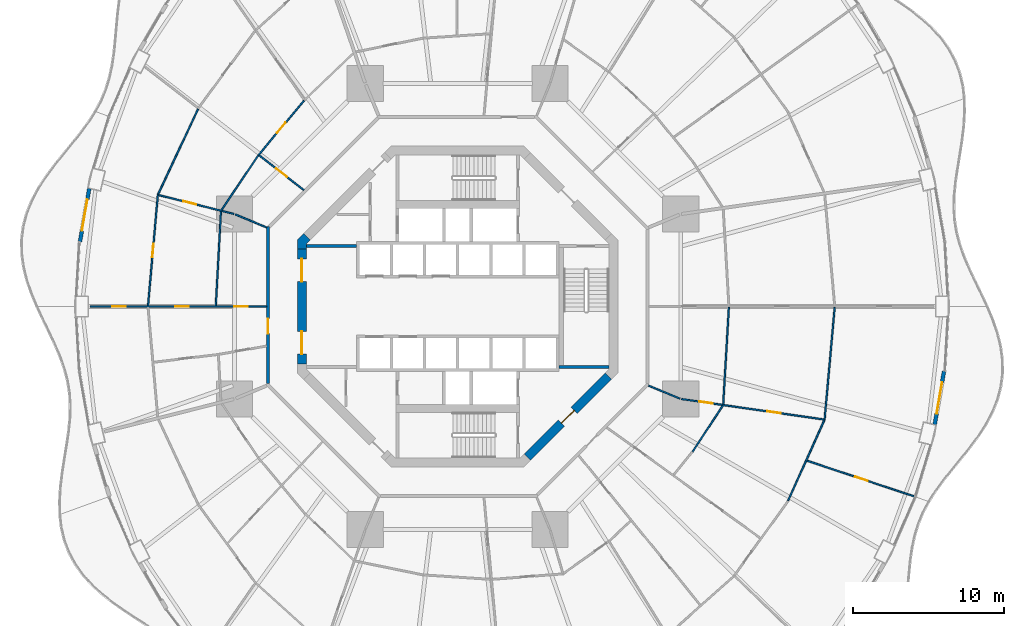
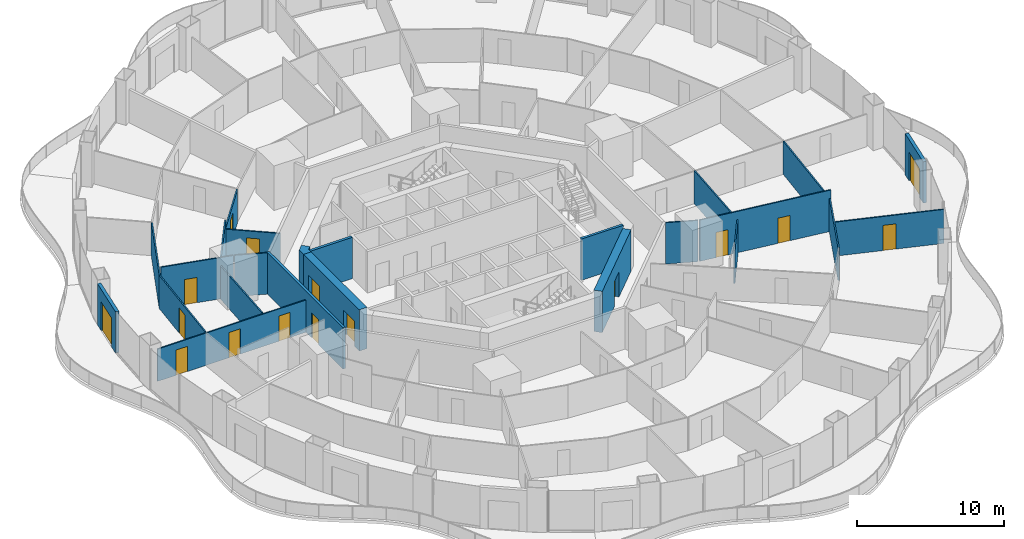
# One storey, part 15 of 21: 24 walls, 16 doors, 16 openings.
"""IFC4 building model written with IfcOpenShell, lengths in metres."""

from ifc_helpers import new_model, si_unit, direction, frame, frame_2d, origin, place, context, subcontext, project, spatial, polyline, rectangle, outline, extrude, material, layer, layer_set, type_object, element, fill, save


model = new_model("IFC4")

# Units and contexts
model_context = context("Model", 3, precision=1e-05, world=origin(), true_north=direction((0.0, 1.0)))
body_context = subcontext(model_context, "Body", "Model", "MODEL_VIEW")
ifc_project = project(units=[si_unit("LENGTHUNIT", "METRE"), si_unit("AREAUNIT", "SQUARE_METRE"), si_unit("VOLUMEUNIT", "CUBIC_METRE"), si_unit("PLANEANGLEUNIT", "RADIAN"), si_unit("MASSUNIT", "GRAM", prefix="KILO")], contexts=[model_context])

# Site, building, storey
site_placement = place(None, origin())
site = spatial("IfcSite", under=ifc_project, at=site_placement, CompositionType="ELEMENT")
building_placement = place(site_placement, origin())
building = spatial("IfcBuilding", under=site, at=building_placement, Name="Nagisa Residences", CompositionType="ELEMENT")
storey_placement = place(building_placement, frame((0.0, 0.0, 60.300048828125)))
storey = spatial("IfcBuildingStorey", under=building, at=storey_placement, Name="L14", CompositionType="ELEMENT", Elevation=60.300048828125)

# Wall, opening, door
ifc_material_1 = material(Name="Gypsum board on steel studs", Category="steel")
ifc_layer_1 = layer(ifc_material_1, 0.199951171875)
ifc_layer_set_1 = layer_set([ifc_layer_1], Name="Apartment entry wall EI60 200")
wall_type_1 = type_object("IfcWallType", Name="Apartment entry wall EI60 200", PredefinedType="PARTITIONING", material=ifc_layer_set_1)
wall_1_placement = place(storey_placement, frame((-12.564697265625, 5.304443359375, 0.0), z_axis=(0.0, 0.0, 1.0), x_axis=(0.0, -1.0, 0.0)))
wall_1 = element("IfcWall", 1, at=wall_1_placement, inside=storey, type_object=wall_type_1, Name="wall:L14:u10", PredefinedType="PARTITIONING", context=body_context, shape_type="SweptSolid", body=[
    extrude(rectangle(XDim=10.408935546875, YDim=0.199951171875, at=frame_2d((5.20458984375, 0.0))), origin(), (0.0, 0.0, 1.0), 3.43994140625),
])
opening_1_placement = place(wall_1_placement, frame((6.105712890625, 0.0, 0.0)))
opening_1 = element("IfcOpeningElement", 2, at=opening_1_placement, cuts=wall_1, Name="Opening L14-U42", PredefinedType="OPENING", context=body_context, shape_type="SweptSolid", body=[
    extrude(rectangle(XDim=1.0, YDim=2.10009765625, at=frame_2d((0.5, 1.050048828125))), frame((0.0, 0.10986328125, 0.0), z_axis=(0.0, -1.0, 0.0), x_axis=(1.0, 0.0, 0.0)), (0.0, 0.0, 1.0), 0.219970703125),
])
ifc_material_2 = material(Name="Timber fire door set", Category="wood")
door_type_1 = type_object("IfcDoorType", Name="Apartment entry door FD30S 1000x2100", OperationType="NOTDEFINED", PredefinedType="DOOR", material=ifc_material_2)
door_1_placement = place(opening_1_placement, frame((1.0, 0.0, 0.0), x_axis=(-1.0, 0.0, 0.0)))
door_1 = element("IfcDoor", 3, at=door_1_placement, inside=storey, type_object=door_type_1, Name="Entry door, Apartment 14C", OperationType="SINGLE_SWING_LEFT", OverallHeight=2.10009765625, OverallWidth=1.0, PredefinedType="DOOR", context=body_context, shape_type="SweptSolid", body=[
    extrude(rectangle(XDim=1.0, YDim=2.10009765625, at=frame_2d((0.5, 1.050048828125))), frame((0.0, 0.02490234375, 0.0), z_axis=(0.0, -1.0, 0.0), x_axis=(1.0, 0.0, 0.0)), (0.0, 0.0, 1.0), 0.050048828125),
])
fill(opening_1, door_1)

# Walls
ifc_material_3 = material(Name="Gypsum board on steel studs", Category="steel")
ifc_layer_2 = layer(ifc_material_3, 0.10009765625)
ifc_layer_set_2 = layer_set([ifc_layer_2], Name="Apartment partition 100")
wall_type_2 = type_object("IfcWallType", Name="Apartment partition 100", PredefinedType="PARTITIONING", material=ifc_layer_set_2)
wall_2_placement = place(storey_placement, frame((17.971435546875, -0.0498046875, 0.0), z_axis=(0.0, 0.0, 1.0), x_axis=(-0.058475267553, -0.998288857538, 0.0)))
element("IfcWall", 4, at=wall_2_placement, inside=storey, type_object=wall_type_2, Name="wall:L14:u16", PredefinedType="PARTITIONING", context=body_context, shape_type="SweptSolid", body=[
    extrude(rectangle(XDim=6.43798828125, YDim=0.10009765625, at=frame_2d((3.218994140625, 0.0))), origin(), (0.0, 0.0, 1.0), 2.755859375),
])
wall_3_placement = place(storey_placement, frame((24.982177734375, -0.0498046875, 0.0), z_axis=(0.0, 0.0, 1.0), x_axis=(-0.089432471274, -0.995992888068, 0.0)))
element("IfcWall", 5, at=wall_3_placement, inside=storey, type_object=wall_type_2, Name="wall:L14:u18", PredefinedType="PARTITIONING", context=body_context, shape_type="SweptSolid", body=[
    extrude(rectangle(XDim=7.422607421875, YDim=0.10009765625, at=frame_2d((3.71142578125, 0.0))), origin(), (0.0, 0.0, 1.0), 2.755859375),
])

# Wall, opening, door
wall_4_placement = place(storey_placement, frame((-10.18701171875, 13.643310546875, 0.0), z_axis=(0.0, 0.0, 1.0), x_axis=(-0.640807748916, -0.767701393075, 0.0)))
wall_4 = element("IfcWall", 6, at=wall_4_placement, inside=storey, type_object=wall_type_2, Name="wall:L14:u44", PredefinedType="PARTITIONING", context=body_context, shape_type="SweptSolid", body=[
    extrude(rectangle(XDim=4.73681640625, YDim=0.10009765625, at=frame_2d((2.368408203125, 0.0))), origin(), (0.0, 0.0, 1.0), 2.755859375),
])
opening_2_placement = place(wall_4_placement, frame((1.893310546875, 0.0, 0.0)))
opening_2 = element("IfcOpeningElement", 7, at=opening_2_placement, cuts=wall_4, Name="Opening L14-U51", PredefinedType="OPENING", context=body_context, shape_type="SweptSolid", body=[
    extrude(rectangle(XDim=0.89990234375, YDim=2.10009765625, at=frame_2d((0.449951171875, 1.050048828125))), frame((0.0, 0.06005859375, 0.0), z_axis=(0.0, -1.0, 0.0), x_axis=(1.0, 0.0, 0.0)), (0.0, 0.0, 1.0), 0.1201171875),
])
ifc_material_4 = material(Name="Timber door set", Category="wood")
door_type_2 = type_object("IfcDoorType", Name="Apartment door 900x2100", OperationType="NOTDEFINED", PredefinedType="DOOR", material=ifc_material_4)
door_2_placement = place(opening_2_placement, origin())
door_2 = element("IfcDoor", 8, at=door_2_placement, inside=storey, type_object=door_type_2, Name="Door to laundry, Apartment 14C", OperationType="SINGLE_SWING_LEFT", OverallHeight=2.10009765625, OverallWidth=0.89990234375, PredefinedType="DOOR", context=body_context, shape_type="SweptSolid", body=[
    extrude(rectangle(XDim=0.89990234375, YDim=2.10009765625, at=frame_2d((0.449951171875, 1.050048828125))), frame((0.0, 0.02490234375, 0.0), z_axis=(0.0, -1.0, 0.0), x_axis=(1.0, 0.0, 0.0)), (0.0, 0.0, 1.0), 0.050048828125),
])
fill(opening_2, door_2)

wall_5_placement = place(storey_placement, frame((-10.1904296875, 7.71923828125, 0.0), z_axis=(0.0, 0.0, 1.0), x_axis=(-0.790253294643, 0.612780327937, 0.0)))
wall_5 = element("IfcWall", 9, at=wall_5_placement, inside=storey, type_object=wall_type_2, Name="wall:L14:u46", PredefinedType="PARTITIONING", context=body_context, shape_type="SweptSolid", body=[
    extrude(rectangle(XDim=3.745849609375, YDim=0.10009765625, at=frame_2d((1.873046875, 0.0))), origin(), (0.0, 0.0, 1.0), 2.68701171875),
])
opening_3_placement = place(wall_5_placement, frame((1.423095703125, 0.0, 0.0)))
opening_3 = element("IfcOpeningElement", 10, at=opening_3_placement, cuts=wall_5, Name="Opening L14-U52", PredefinedType="OPENING", context=body_context, shape_type="SweptSolid", body=[
    extrude(rectangle(XDim=0.89990234375, YDim=2.10009765625, at=frame_2d((0.449951171875, 1.050048828125))), frame((0.0, 0.06005859375, 0.0), z_axis=(0.0, -1.0, 0.0), x_axis=(1.0, 0.0, 0.0)), (0.0, 0.0, 1.0), 0.1201171875),
])
door_3_placement = place(opening_3_placement, origin())
door_3 = element("IfcDoor", 11, at=door_3_placement, inside=storey, type_object=door_type_2, Name="Door to store, Apartment 14C", OperationType="SINGLE_SWING_RIGHT", OverallHeight=2.10009765625, OverallWidth=0.89990234375, PredefinedType="DOOR", context=body_context, shape_type="SweptSolid", body=[
    extrude(rectangle(XDim=0.89990234375, YDim=2.10009765625, at=frame_2d((0.449951171875, 1.050048828125))), frame((0.0, 0.02490234375, 0.0), z_axis=(0.0, -1.0, 0.0), x_axis=(1.0, 0.0, 0.0)), (0.0, 0.0, 1.0), 0.050048828125),
])
fill(opening_3, door_3)

# Walls
wall_6_placement = place(storey_placement, frame((-13.21826171875, 10.00390625, 0.0), z_axis=(0.0, 0.0, 1.0), x_axis=(-0.559126445155, -0.82908239538, 0.0)))
element("IfcWall", 12, at=wall_6_placement, inside=storey, type_object=wall_type_2, Name="wall:L14:u47", PredefinedType="PARTITIONING", context=body_context, shape_type="SweptSolid", body=[
    extrude(rectangle(XDim=4.358154296875, YDim=0.10009765625, at=frame_2d((2.17919921875, 0.0))), origin(), (0.0, 0.0, 1.0), 3.43994140625),
])
wall_7_placement = place(storey_placement, frame((-17.20263671875, 13.0947265625, 0.0), z_axis=(0.0, 0.0, 1.0), x_axis=(-0.423892287987, -0.905712607942, 0.0)))
element("IfcWall", 13, at=wall_7_placement, inside=storey, type_object=wall_type_2, Name="wall:L14:u49", PredefinedType="PARTITIONING", context=body_context, shape_type="SweptSolid", body=[
    extrude(rectangle(XDim=6.237548828125, YDim=0.10009765625, at=frame_2d((3.11865234375, 0.0))), origin(), (0.0, 0.0, 1.0), 2.755859375),
])
wall_8_placement = place(storey_placement, frame((-12.6572265625, 5.24267578125, 0.0), z_axis=(0.0, 0.0, 1.0), x_axis=(-0.923864733477, 0.382719158442, 0.0)))
element("IfcWall", 14, at=wall_8_placement, inside=storey, type_object=wall_type_2, Name="wall:L14:u50", PredefinedType="PARTITIONING", context=body_context, shape_type="SweptSolid", body=[
    extrude(rectangle(XDim=2.25, YDim=0.10009765625, at=frame_2d((1.125, 0.0))), origin(), (0.0, 0.0, 1.0), 3.43994140625),
])

# Wall, opening, door
wall_9_placement = place(storey_placement, frame((-14.83056640625, 6.135009765625, 0.0), z_axis=(0.0, 0.0, 1.0), x_axis=(-0.96988230015, 0.243574062362, 0.0)))
wall_9 = element("IfcWall", 15, at=wall_9_placement, inside=storey, type_object=wall_type_2, Name="wall:L14:u51", PredefinedType="PARTITIONING", context=body_context, shape_type="SweptSolid", body=[
    extrude(rectangle(XDim=5.14404296875, YDim=0.10009765625, at=frame_2d((2.572021484375, 0.0))), origin(), (0.0, 0.0, 1.0), 3.43994140625),
])
opening_4_placement = place(wall_9_placement, frame((2.561279296875, 0.0, 0.0)))
opening_4 = element("IfcOpeningElement", 16, at=opening_4_placement, cuts=wall_9, Name="Opening L14-U49", PredefinedType="OPENING", context=body_context, shape_type="SweptSolid", body=[
    extrude(rectangle(XDim=0.89990234375, YDim=2.10009765625, at=frame_2d((0.449951171875, 1.050048828125))), frame((0.0, 0.06005859375, 0.0), z_axis=(0.0, -1.0, 0.0), x_axis=(1.0, 0.0, 0.0)), (0.0, 0.0, 1.0), 0.1201171875),
])
door_4_placement = place(opening_4_placement, frame((0.89990234375, 0.0, 0.0), x_axis=(-1.0, 0.0, 0.0)))
door_4 = element("IfcDoor", 17, at=door_4_placement, inside=storey, type_object=door_type_2, Name="Door to family room, Apartment 14C", OperationType="SINGLE_SWING_RIGHT", OverallHeight=2.10009765625, OverallWidth=0.89990234375, PredefinedType="DOOR", context=body_context, shape_type="SweptSolid", body=[
    extrude(rectangle(XDim=0.89990234375, YDim=2.10009765625, at=frame_2d((0.449951171875, 1.050048828125))), frame((0.0, 0.02490234375, 0.0), z_axis=(0.0, -1.0, 0.0), x_axis=(1.0, 0.0, 0.0)), (0.0, 0.0, 1.0), 0.050048828125),
])
fill(opening_4, door_4)

# Wall
wall_10_placement = place(storey_placement, frame((-15.685546875, 6.29931640625, 0.0), z_axis=(0.0, 0.0, 1.0), x_axis=(-0.054651178503, -0.99850550759, 0.0)))
element("IfcWall", 18, at=wall_10_placement, inside=storey, type_object=wall_type_2, Name="wall:L14:u52", PredefinedType="PARTITIONING", context=body_context, shape_type="SweptSolid", body=[
    extrude(rectangle(XDim=6.258544921875, YDim=0.10009765625, at=frame_2d((3.12939453125, 0.0))), origin(), (0.0, 0.0, 1.0), 2.755859375),
])

# Wall, opening, door
wall_11_placement = place(storey_placement, frame((-19.863525390625, 7.449951171875, 0.0), z_axis=(0.0, 0.0, 1.0), x_axis=(-0.088138375539, -0.996108240483, 0.0)))
wall_11 = element("IfcWall", 19, at=wall_11_placement, inside=storey, type_object=wall_type_2, Name="wall:L14:u53", PredefinedType="PARTITIONING", context=body_context, shape_type="SweptSolid", body=[
    extrude(rectangle(XDim=7.428955078125, YDim=0.10009765625, at=frame_2d((3.71435546875, 0.0))), origin(), (0.0, 0.0, 1.0), 2.755859375),
])
opening_5_placement = place(wall_11_placement, frame((3.28955078125, 0.0, 0.0)))
opening_5 = element("IfcOpeningElement", 20, at=opening_5_placement, cuts=wall_11, Name="Opening L14-U47", PredefinedType="OPENING", context=body_context, shape_type="SweptSolid", body=[
    extrude(rectangle(XDim=0.89990234375, YDim=2.10009765625, at=frame_2d((0.449951171875, 1.050048828125))), frame((0.0, 0.06005859375, 0.0), z_axis=(0.0, -1.0, 0.0), x_axis=(1.0, 0.0, 0.0)), (0.0, 0.0, 1.0), 0.1201171875),
])
door_5_placement = place(opening_5_placement, frame((0.89990234375, 0.0, 0.0), x_axis=(-1.0, 0.0, 0.0)))
door_5 = element("IfcDoor", 21, at=door_5_placement, inside=storey, type_object=door_type_2, Name="Door to family room, Apartment 14C", OperationType="SINGLE_SWING_RIGHT", OverallHeight=2.10009765625, OverallWidth=0.89990234375, PredefinedType="DOOR", context=body_context, shape_type="SweptSolid", body=[
    extrude(rectangle(XDim=0.89990234375, YDim=2.10009765625, at=frame_2d((0.449951171875, 1.050048828125))), frame((0.0, 0.02490234375, 0.0), z_axis=(0.0, -1.0, 0.0), x_axis=(1.0, 0.0, 0.0)), (0.0, 0.0, 1.0), 0.050048828125),
])
fill(opening_5, door_5)

# Wall, openings, doors
wall_12_placement = place(storey_placement, frame((-12.664794921875, 0.0, 0.0), z_axis=(0.0, 0.0, 1.0), x_axis=(-1.0, 0.0, 0.0)))
wall_12 = element("IfcWall", 22, at=wall_12_placement, inside=storey, type_object=wall_type_2, Name="wall:L14:u54", PredefinedType="PARTITIONING", context=body_context, shape_type="SweptSolid", body=[
    extrude(rectangle(XDim=11.685302734375, YDim=0.10009765625, at=frame_2d((5.8427734375, 0.0))), origin(), (0.0, 0.0, 1.0), 2.68701171875),
])
opening_6_placement = place(wall_12_placement, frame((1.23291015625, 0.0, 0.0)))
opening_6 = element("IfcOpeningElement", 23, at=opening_6_placement, cuts=wall_12, Name="Opening L14-U43", PredefinedType="OPENING", context=body_context, shape_type="SweptSolid", body=[
    extrude(rectangle(XDim=0.89990234375, YDim=2.10009765625, at=frame_2d((0.449951171875, 1.050048828125))), frame((0.0, 0.06005859375, 0.0), z_axis=(0.0, -1.0, 0.0), x_axis=(1.0, 0.0, 0.0)), (0.0, 0.0, 1.0), 0.1201171875),
])
opening_7_placement = place(wall_12_placement, frame((5.16162109375, 0.0, 0.0)))
opening_7 = element("IfcOpeningElement", 24, at=opening_7_placement, cuts=wall_12, Name="Opening L14-U45", PredefinedType="OPENING", context=body_context, shape_type="SweptSolid", body=[
    extrude(rectangle(XDim=0.89990234375, YDim=2.10009765625, at=frame_2d((0.449951171875, 1.050048828125))), frame((0.0, 0.06005859375, 0.0), z_axis=(0.0, -1.0, 0.0), x_axis=(1.0, 0.0, 0.0)), (0.0, 0.0, 1.0), 0.1201171875),
])
opening_8_placement = place(wall_12_placement, frame((9.321533203125, 0.0, 0.0)))
opening_8 = element("IfcOpeningElement", 25, at=opening_8_placement, cuts=wall_12, Name="Opening L14-U48", PredefinedType="OPENING", context=body_context, shape_type="SweptSolid", body=[
    extrude(rectangle(XDim=0.89990234375, YDim=2.10009765625, at=frame_2d((0.449951171875, 1.050048828125))), frame((0.0, 0.06005859375, 0.0), z_axis=(0.0, -1.0, 0.0), x_axis=(1.0, 0.0, 0.0)), (0.0, 0.0, 1.0), 0.1201171875),
])
door_6_placement = place(opening_6_placement, frame((0.89990234375, 0.0, 0.0), x_axis=(-1.0, 0.0, 0.0)))
door_6 = element("IfcDoor", 26, at=door_6_placement, inside=storey, type_object=door_type_2, Name="Door to family bathroom, Apartment 14C", OperationType="SINGLE_SWING_RIGHT", OverallHeight=2.10009765625, OverallWidth=0.89990234375, PredefinedType="DOOR", context=body_context, shape_type="SweptSolid", body=[
    extrude(rectangle(XDim=0.89990234375, YDim=2.10009765625, at=frame_2d((0.449951171875, 1.050048828125))), frame((0.0, 0.02490234375, 0.0), z_axis=(0.0, -1.0, 0.0), x_axis=(1.0, 0.0, 0.0)), (0.0, 0.0, 1.0), 0.050048828125),
])
fill(opening_6, door_6)
door_7_placement = place(opening_7_placement, frame((0.89990234375, 0.0, 0.0), x_axis=(-1.0, 0.0, 0.0)))
door_7 = element("IfcDoor", 27, at=door_7_placement, inside=storey, type_object=door_type_2, Name="Door to dining room, Apartment 14C", OperationType="SINGLE_SWING_RIGHT", OverallHeight=2.10009765625, OverallWidth=0.89990234375, PredefinedType="DOOR", context=body_context, shape_type="SweptSolid", body=[
    extrude(rectangle(XDim=0.89990234375, YDim=2.10009765625, at=frame_2d((0.449951171875, 1.050048828125))), frame((0.0, 0.02490234375, 0.0), z_axis=(0.0, -1.0, 0.0), x_axis=(1.0, 0.0, 0.0)), (0.0, 0.0, 1.0), 0.050048828125),
])
fill(opening_7, door_7)
door_8_placement = place(opening_8_placement, origin())
door_8 = element("IfcDoor", 28, at=door_8_placement, inside=storey, type_object=door_type_2, Name="Door to bedroom, Apartment 14C", OperationType="SINGLE_SWING_RIGHT", OverallHeight=2.10009765625, OverallWidth=0.89990234375, PredefinedType="DOOR", context=body_context, shape_type="SweptSolid", body=[
    extrude(rectangle(XDim=0.89990234375, YDim=2.10009765625, at=frame_2d((0.449951171875, 1.050048828125))), frame((0.0, 0.02490234375, 0.0), z_axis=(0.0, -1.0, 0.0), x_axis=(1.0, 0.0, 0.0)), (0.0, 0.0, 1.0), 0.050048828125),
])
fill(opening_8, door_8)

# Walls
wall_13_placement = place(storey_placement, frame((15.5546875, -9.639404296875, 0.0), z_axis=(0.0, 0.0, 1.0), x_axis=(0.547618530423, 0.836728119007, 0.0)))
element("IfcWall", 29, at=wall_13_placement, inside=storey, type_object=wall_type_2, Name="wall:L14:u90", PredefinedType="PARTITIONING", context=body_context, shape_type="SweptSolid", body=[
    extrude(rectangle(XDim=3.669921875, YDim=0.10009765625, at=frame_2d((1.8349609375, 0.0))), origin(), (0.0, 0.0, 1.0), 2.755859375),
])
wall_14_placement = place(storey_placement, frame((21.89892578125, -12.861328125, 0.0), z_axis=(0.0, 0.0, 1.0), x_axis=(0.410197710154, 0.911996622025, 0.0)))
element("IfcWall", 30, at=wall_14_placement, inside=storey, type_object=wall_type_2, Name="wall:L14:u91", PredefinedType="PARTITIONING", context=body_context, shape_type="SweptSolid", body=[
    extrude(rectangle(XDim=5.8369140625, YDim=0.10009765625, at=frame_2d((2.91845703125, 0.0))), origin(), (0.0, 0.0, 1.0), 2.755859375),
])

# Wall, opening, door
wall_15_placement = place(storey_placement, frame((23.1435546875, -10.215576171875, 0.0), z_axis=(0.0, 0.0, 1.0), x_axis=(0.948811715359, -0.315842253027, 0.0)))
wall_15 = element("IfcWall", 31, at=wall_15_placement, inside=storey, type_object=wall_type_2, Name="wall:L14:u92", PredefinedType="PARTITIONING", context=body_context, shape_type="SweptSolid", body=[
    extrude(rectangle(XDim=7.599853515625, YDim=0.10009765625, at=frame_2d((3.7998046875, 0.0))), origin(), (0.0, 0.0, 1.0), 2.8369140625),
])
opening_9_placement = place(wall_15_placement, frame((3.35009765625, 0.0, 0.0)))
opening_9 = element("IfcOpeningElement", 32, at=opening_9_placement, cuts=wall_15, Name="Opening L14-U15", PredefinedType="OPENING", context=body_context, shape_type="SweptSolid", body=[
    extrude(rectangle(XDim=0.89990234375, YDim=2.10009765625, at=frame_2d((0.449951171875, 1.050048828125))), frame((0.0, 0.06005859375, 0.0), z_axis=(0.0, -1.0, 0.0), x_axis=(1.0, 0.0, 0.0)), (0.0, 0.0, 1.0), 0.1201171875),
])
door_9_placement = place(opening_9_placement, origin())
door_9 = element("IfcDoor", 33, at=door_9_placement, inside=storey, type_object=door_type_2, Name="Door to family room, Apartment 14A", OperationType="SINGLE_SWING_LEFT", OverallHeight=2.10009765625, OverallWidth=0.89990234375, PredefinedType="DOOR", context=body_context, shape_type="SweptSolid", body=[
    extrude(rectangle(XDim=0.89990234375, YDim=2.10009765625, at=frame_2d((0.449951171875, 1.050048828125))), frame((0.0, 0.02490234375, 0.0), z_axis=(0.0, -1.0, 0.0), x_axis=(1.0, 0.0, 0.0)), (0.0, 0.0, 1.0), 0.050048828125),
])
fill(opening_9, door_9)

# Wall
wall_16_placement = place(storey_placement, frame((12.6572265625, -5.24267578125, 0.0), z_axis=(0.0, 0.0, 1.0), x_axis=(0.923864733477, -0.382719158442, 0.0)))
element("IfcWall", 34, at=wall_16_placement, inside=storey, type_object=wall_type_2, Name="wall:L14:u93", PredefinedType="PARTITIONING", context=body_context, shape_type="SweptSolid", body=[
    extrude(rectangle(XDim=2.25, YDim=0.10009765625, at=frame_2d((1.125, 0.0))), origin(), (0.0, 0.0, 1.0), 3.43994140625),
])

# Wall, openings, doors
wall_17_placement = place(storey_placement, frame((14.83154296875, -6.130126953125, 0.0), z_axis=(0.0, 0.0, 1.0), x_axis=(0.989837122016, -0.142205737856, 0.0)))
wall_17 = element("IfcWall", 35, at=wall_17_placement, inside=storey, type_object=wall_type_2, Name="wall:L14:u94", PredefinedType="PARTITIONING", context=body_context, shape_type="SweptSolid", body=[
    extrude(rectangle(XDim=9.629638671875, YDim=0.10009765625, at=frame_2d((4.81494140625, 0.0))), origin(), (0.0, 0.0, 1.0), 3.43994140625),
])
opening_10_placement = place(wall_17_placement, frame((1.18212890625, 0.0, 0.0)))
opening_10 = element("IfcOpeningElement", 36, at=opening_10_placement, cuts=wall_17, Name="Opening L14-U04", PredefinedType="OPENING", context=body_context, shape_type="SweptSolid", body=[
    extrude(rectangle(XDim=0.89990234375, YDim=2.10009765625, at=frame_2d((0.449951171875, 1.050048828125))), frame((0.0, 0.06005859375, 0.0), z_axis=(0.0, -1.0, 0.0), x_axis=(1.0, 0.0, 0.0)), (0.0, 0.0, 1.0), 0.1201171875),
])
opening_11_placement = place(wall_17_placement, frame((5.734130859375, 0.0, 0.0)))
opening_11 = element("IfcOpeningElement", 37, at=opening_11_placement, cuts=wall_17, Name="Opening L14-U09", PredefinedType="OPENING", context=body_context, shape_type="SweptSolid", body=[
    extrude(rectangle(XDim=0.89990234375, YDim=2.10009765625, at=frame_2d((0.449951171875, 1.050048828125))), frame((0.0, 0.06005859375, 0.0), z_axis=(0.0, -1.0, 0.0), x_axis=(1.0, 0.0, 0.0)), (0.0, 0.0, 1.0), 0.1201171875),
])
door_10_placement = place(opening_10_placement, origin())
door_10 = element("IfcDoor", 38, at=door_10_placement, inside=storey, type_object=door_type_2, Name="Door to store, Apartment 14A", OperationType="SINGLE_SWING_RIGHT", OverallHeight=2.10009765625, OverallWidth=0.89990234375, PredefinedType="DOOR", context=body_context, shape_type="SweptSolid", body=[
    extrude(rectangle(XDim=0.89990234375, YDim=2.10009765625, at=frame_2d((0.449951171875, 1.050048828125))), frame((0.0, 0.02490234375, 0.0), z_axis=(0.0, -1.0, 0.0), x_axis=(1.0, 0.0, 0.0)), (0.0, 0.0, 1.0), 0.050048828125),
])
fill(opening_10, door_10)
door_11_placement = place(opening_11_placement, origin())
door_11 = element("IfcDoor", 39, at=door_11_placement, inside=storey, type_object=door_type_2, Name="Door to family room, Apartment 14A", OperationType="SINGLE_SWING_LEFT", OverallHeight=2.10009765625, OverallWidth=0.89990234375, PredefinedType="DOOR", context=body_context, shape_type="SweptSolid", body=[
    extrude(rectangle(XDim=0.89990234375, YDim=2.10009765625, at=frame_2d((0.449951171875, 1.050048828125))), frame((0.0, 0.02490234375, 0.0), z_axis=(0.0, -1.0, 0.0), x_axis=(1.0, 0.0, 0.0)), (0.0, 0.0, 1.0), 0.050048828125),
])
fill(opening_11, door_11)

# Wall, opening, door
ifc_material_5 = material(Name="Precast concrete C40/50", Category="concrete")
ifc_layer_3 = layer(ifc_material_5, 0.25)
ifc_layer_set_3 = layer_set([ifc_layer_3], Name="BALCONY DOOR WALL 250")
wall_type_3 = type_object("IfcWallType", Name="BALCONY DOOR WALL 250", PredefinedType="SOLIDWALL", material=ifc_layer_set_3)
wall_18_placement = place(storey_placement, frame((-25.02880859375, 4.285888671875, 0.0), z_axis=(0.0, 0.0, 1.0), x_axis=(0.172217377323, 0.98505897029, 0.0)))
wall_18 = element("IfcWall", 40, at=wall_18_placement, inside=storey, type_object=wall_type_3, Name="wall:L14:bay22", PredefinedType="SOLIDWALL", context=body_context, shape_type="SweptSolid", body=[
    extrude(rectangle(XDim=3.597900390625, YDim=0.25, at=frame_2d((1.798828125, 0.0))), origin(), (0.0, 0.0, 1.0), 3.43994140625),
])
opening_12_placement = place(wall_18_placement, frame((0.7490234375, 0.0, 0.0)))
opening_12 = element("IfcOpeningElement", 41, at=opening_12_placement, cuts=wall_18, Name="Opening BD-L14-08", PredefinedType="OPENING", context=body_context, shape_type="SweptSolid", body=[
    extrude(rectangle(XDim=2.10009765625, YDim=2.39990234375, at=frame_2d((1.050048828125, 1.199951171875))), frame((0.0, 0.135009765625, 0.0), z_axis=(0.0, -1.0, 0.0), x_axis=(1.0, 0.0, 0.0)), (0.0, 0.0, 1.0), 0.27001953125),
])
ifc_material_6 = material(Name="Aluminium and clear glass", Category="aluminium")
door_type_3 = type_object("IfcDoorType", Name="BALCONY SLIDING DOOR 2100x2400", OperationType="SLIDING_TO_LEFT", PredefinedType="DOOR", material=ifc_material_6)
door_12_placement = place(opening_12_placement, origin())
door_12 = element("IfcDoor", 42, at=door_12_placement, inside=storey, type_object=door_type_3, Name="door:L14:bay22", OperationType="SLIDING_TO_LEFT", OverallHeight=2.39990234375, OverallWidth=2.10009765625, PredefinedType="DOOR", context=body_context, shape_type="SweptSolid", body=[
    extrude(rectangle(XDim=2.10009765625, YDim=2.39990234375, at=frame_2d((1.050048828125, 1.199951171875))), frame((0.0, 0.02490234375, 0.0), z_axis=(0.0, -1.0, 0.0), x_axis=(1.0, 0.0, 0.0)), (0.0, 0.0, 1.0), 0.050048828125),
])
fill(opening_12, door_12)

wall_19_placement = place(storey_placement, frame((32.228759765625, -4.285888671875, 0.0), z_axis=(0.0, 0.0, 1.0), x_axis=(-0.172217377323, -0.98505897029, 0.0)))
wall_19 = element("IfcWall", 43, at=wall_19_placement, inside=storey, type_object=wall_type_3, Name="wall:L14:bay46", PredefinedType="SOLIDWALL", context=body_context, shape_type="SweptSolid", body=[
    extrude(rectangle(XDim=3.597900390625, YDim=0.25, at=frame_2d((1.798828125, 0.0))), origin(), (0.0, 0.0, 1.0), 3.43994140625),
])
opening_13_placement = place(wall_19_placement, frame((0.7490234375, 0.0, 0.0)))
opening_13 = element("IfcOpeningElement", 44, at=opening_13_placement, cuts=wall_19, Name="Opening BD-L14-16", PredefinedType="OPENING", context=body_context, shape_type="SweptSolid", body=[
    extrude(rectangle(XDim=2.10009765625, YDim=2.39990234375, at=frame_2d((1.050048828125, 1.199951171875))), frame((0.0, 0.135009765625, 0.0), z_axis=(0.0, -1.0, 0.0), x_axis=(1.0, 0.0, 0.0)), (0.0, 0.0, 1.0), 0.27001953125),
])
door_13_placement = place(opening_13_placement, origin())
door_13 = element("IfcDoor", 45, at=door_13_placement, inside=storey, type_object=door_type_3, Name="door:L14:bay46", OperationType="SLIDING_TO_LEFT", OverallHeight=2.39990234375, OverallWidth=2.10009765625, PredefinedType="DOOR", context=body_context, shape_type="SweptSolid", body=[
    extrude(rectangle(XDim=2.10009765625, YDim=2.39990234375, at=frame_2d((1.050048828125, 1.199951171875))), frame((0.0, 0.02490234375, 0.0), z_axis=(0.0, -1.0, 0.0), x_axis=(1.0, 0.0, 0.0)), (0.0, 0.0, 1.0), 0.050048828125),
])
fill(opening_13, door_13)

# Wall
ifc_material_7 = material(Name="Gypsum board on steel studs", Category="steel")
ifc_layer_4 = layer(ifc_material_7, 0.199951171875)
ifc_layer_set_4 = layer_set([ifc_layer_4], Name="Core partition 200")
wall_type_4 = type_object("IfcWallType", Name="Core partition 200", PredefinedType="PARTITIONING", material=ifc_layer_set_4)
wall_20_placement = place(storey_placement, frame((-10.024658203125, 4.0, 0.0), z_axis=(0.0, 0.0, 1.0), x_axis=(1.0, 0.0, 0.0)))
element("IfcWall", 46, at=wall_20_placement, inside=storey, type_object=wall_type_4, Name="wall:L14:PNW", PredefinedType="PARTITIONING", context=body_context, shape_type="SweptSolid", body=[
    extrude(rectangle(XDim=3.32470703125, YDim=0.199951171875, at=frame_2d((1.662353515625, 0.0))), origin(), (0.0, 0.0, 1.0), 3.43994140625),
])

# Wall, openings, doors
ifc_material_8 = material(Name="Concrete C60", Category="concrete")
ifc_layer_5 = layer(ifc_material_8, 0.60009765625)
ifc_layer_set_5 = layer_set([ifc_layer_5], Name="Core shear wall 600")
wall_type_5 = type_object("IfcWallType", Name="Core shear wall 600", PredefinedType="SHEAR", material=ifc_layer_set_5)
wall_21_placement = place(storey_placement, frame((-10.32470703125, 3.80078125, 0.0), z_axis=(0.0, 0.0, 1.0), x_axis=(0.0, -1.0, 0.0)))
wall_21 = element("IfcWall", 47, at=wall_21_placement, inside=storey, type_object=wall_type_5, Name="wall:L14:core:flat4", PredefinedType="SHEAR", context=body_context, shape_type="SweptSolid", body=[
    extrude(rectangle(XDim=7.6015625, YDim=0.60009765625, at=frame_2d((3.80078125, 0.0))), origin(), (0.0, 0.0, 1.0), 3.43994140625),
])
opening_14_placement = place(wall_21_placement, frame((0.65087890625, 0.0, 0.0)))
opening_14 = element("IfcOpeningElement", 48, at=opening_14_placement, cuts=wall_21, Name="Opening L14-C18", PredefinedType="OPENING", context=body_context, shape_type="SweptSolid", body=[
    extrude(rectangle(XDim=1.5, YDim=2.10009765625, at=frame_2d((0.75, 1.050048828125))), frame((0.0, 0.31005859375, 0.0), z_axis=(0.0, -1.0, 0.0), x_axis=(1.0, 0.0, 0.0)), (0.0, 0.0, 1.0), 0.6201171875),
])
opening_15_placement = place(wall_21_placement, frame((5.450927734375, 0.0, 0.0)))
opening_15 = element("IfcOpeningElement", 49, at=opening_15_placement, cuts=wall_21, Name="Opening L14-C19", PredefinedType="OPENING", context=body_context, shape_type="SweptSolid", body=[
    extrude(rectangle(XDim=1.5, YDim=2.10009765625, at=frame_2d((0.75, 1.050048828125))), frame((0.0, 0.31005859375, 0.0), z_axis=(0.0, -1.0, 0.0), x_axis=(1.0, 0.0, 0.0)), (0.0, 0.0, 1.0), 0.6201171875),
])
ifc_material_9 = material(Name="Steel fire door", Category="steel")
door_type_4 = type_object("IfcDoorType", Name="Fire door EI60 1500x2100 double door single swing", OperationType="DOUBLE_DOOR_SINGLE_SWING", PredefinedType="DOOR", material=ifc_material_9)
door_14_placement = place(opening_14_placement, origin())
door_14 = element("IfcDoor", 50, at=door_14_placement, inside=storey, type_object=door_type_4, Name="Lift lobby door L14 1", OperationType="DOUBLE_DOOR_SINGLE_SWING", OverallHeight=2.10009765625, OverallWidth=1.5, PredefinedType="DOOR", context=body_context, shape_type="SweptSolid", body=[
    extrude(rectangle(XDim=1.5, YDim=2.10009765625, at=frame_2d((0.75, 1.050048828125))), frame((0.0, 0.02490234375, 0.0), z_axis=(0.0, -1.0, 0.0), x_axis=(1.0, 0.0, 0.0)), (0.0, 0.0, 1.0), 0.050048828125),
])
fill(opening_14, door_14)
door_15_placement = place(opening_15_placement, origin())
door_15 = element("IfcDoor", 51, at=door_15_placement, inside=storey, type_object=door_type_4, Name="Lift lobby door L14 2", OperationType="DOUBLE_DOOR_SINGLE_SWING", OverallHeight=2.10009765625, OverallWidth=1.5, PredefinedType="DOOR", context=body_context, shape_type="SweptSolid", body=[
    extrude(rectangle(XDim=1.5, YDim=2.10009765625, at=frame_2d((0.75, 1.050048828125))), frame((0.0, 0.02490234375, 0.0), z_axis=(0.0, -1.0, 0.0), x_axis=(1.0, 0.0, 0.0)), (0.0, 0.0, 1.0), 0.050048828125),
])
fill(opening_15, door_15)

# Wall, opening, door
wall_22_placement = place(storey_placement, frame((4.613037109375, -9.98828125, 0.0), z_axis=(0.0, 0.0, 1.0), x_axis=(0.707106781187, 0.707106781187, 0.0)))
wall_22 = element("IfcWall", 52, at=wall_22_placement, inside=storey, type_object=wall_type_5, Name="wall:L14:core:flat7", PredefinedType="SHEAR", context=body_context, shape_type="SweptSolid", body=[
    extrude(rectangle(XDim=7.601806640625, YDim=0.60009765625, at=frame_2d((3.80078125, 0.0))), origin(), (0.0, 0.0, 1.0), 3.43994140625),
])
opening_16_placement = place(wall_22_placement, frame((3.200927734375, 0.0, 0.0)))
opening_16 = element("IfcOpeningElement", 53, at=opening_16_placement, cuts=wall_22, Name="Opening L14-C17", PredefinedType="OPENING", context=body_context, shape_type="SweptSolid", body=[
    extrude(rectangle(XDim=1.199951171875, YDim=2.10009765625, at=frame_2d((0.60009765625, 1.050048828125))), frame((0.0, 0.31005859375, 0.0), z_axis=(0.0, -1.0, 0.0), x_axis=(1.0, 0.0, 0.0)), (0.0, 0.0, 1.0), 0.6201171875),
])
ifc_material_10 = material(Name="Steel fire door", Category="steel")
door_type_5 = type_object("IfcDoorType", Name="Fire door EI60 1200x2100 single swing", OperationType="NOTDEFINED", PredefinedType="DOOR", material=ifc_material_10)
door_16_placement = place(opening_16_placement, origin())
door_16 = element("IfcDoor", 54, at=door_16_placement, inside=storey, type_object=door_type_5, Name="Firefighting lobby 2 door L14", OperationType="SINGLE_SWING_RIGHT", OverallHeight=2.10009765625, OverallWidth=1.199951171875, PredefinedType="DOOR", context=body_context, shape_type="SweptSolid", body=[
    extrude(rectangle(XDim=1.199951171875, YDim=2.10009765625, at=frame_2d((0.60009765625, 1.050048828125))), frame((0.0, 0.02490234375, 0.0), z_axis=(0.0, -1.0, 0.0), x_axis=(1.0, 0.0, 0.0)), (0.0, 0.0, 1.0), 0.050048828125),
])
fill(opening_16, door_16)

# Walls
wall_23_placement = place(storey_placement, origin())
element("IfcWall", 55, at=wall_23_placement, inside=storey, type_object=wall_type_5, Name="wall:L14:core:pier3", PredefinedType="SHEAR", context=body_context, shape_type="SweptSolid", body=[
    extrude(outline(polyline([(-10.200439453125, 4.8251953125), (-9.776123046875, 4.40087890625), (-10.024658203125, 4.15234375), (-10.024658203125, 3.80078125), (-10.62451171875, 3.80078125), (-10.62451171875, 4.40087890625), (-10.200439453125, 4.8251953125)])), origin(), (0.0, 0.0, 1.0), 3.43994140625),
])
ifc_material_11 = material(Name="Concrete C60", Category="concrete")
ifc_layer_6 = layer(ifc_material_11, 0.199951171875)
ifc_layer_set_6 = layer_set([ifc_layer_6], Name="Stair enclosure wall 200")
wall_type_6 = type_object("IfcWallType", Name="Stair enclosure wall 200", PredefinedType="SOLIDWALL", material=ifc_layer_set_6)
wall_24_placement = place(storey_placement, origin())
element("IfcWall", 56, at=wall_24_placement, inside=storey, type_object=wall_type_6, Name="wall:L14:SE_s", PredefinedType="SOLIDWALL", context=body_context, shape_type="SweptSolid", body=[
    extrude(outline(polyline([(10.024658203125, -4.10009765625), (6.699951171875, -4.10009765625), (6.699951171875, -3.89990234375), (10.024658203125, -3.89990234375), (10.024658203125, -4.10009765625)])), origin(), (0.0, 0.0, 1.0), 3.43994140625),
])

save(model, "model.ifc")
